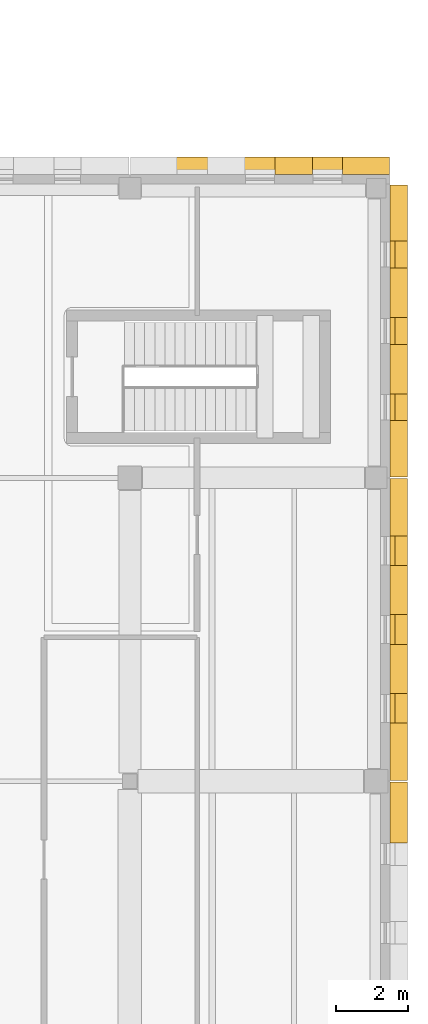
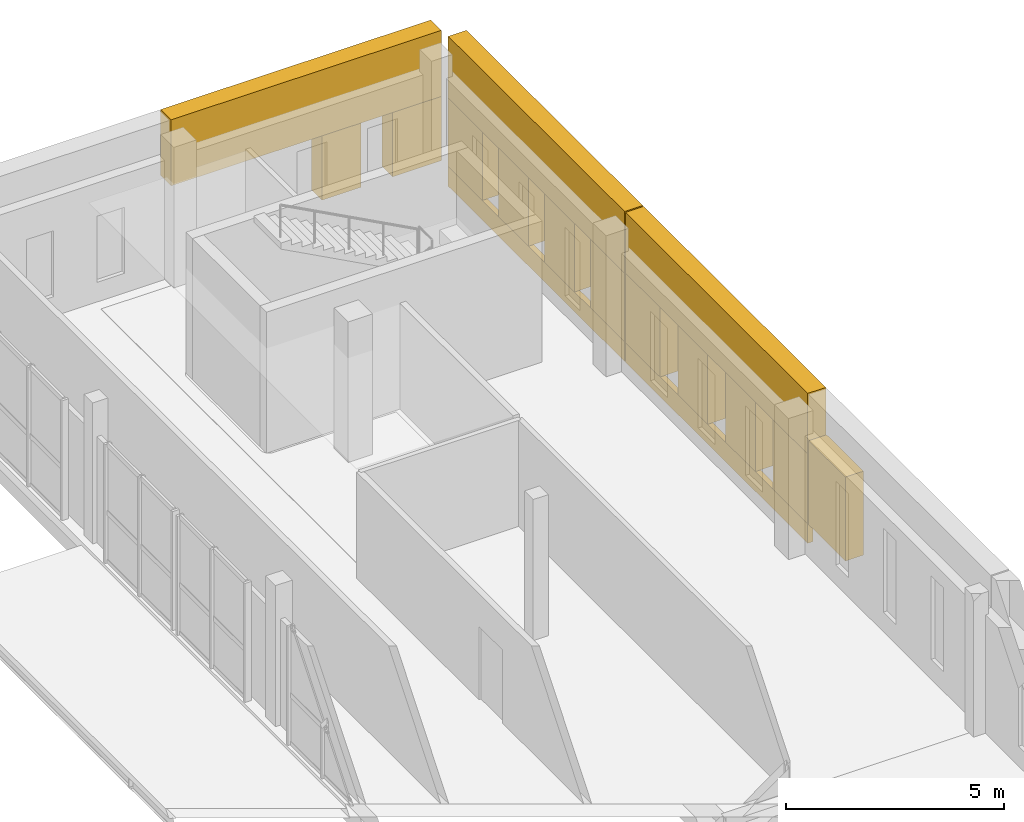
# One storey, part 76 of 76: 16 coverings.
"""IFC4 building model written with IfcOpenShell, lengths in metres."""

from ifc_helpers import new_model, si_unit, direction, frame, origin, place, context, subcontext, project, spatial, polyline, outline, extrude, material, layer, layer_set, type_object, element, save


model = new_model("IFC4")

# Units and contexts
model_context = context("Model", 3, precision=1e-05, world=origin(), true_north=direction((0.0, 1.0)))
body_context = subcontext(model_context, "Body", "Model", "MODEL_VIEW")
ifc_project = project(units=[si_unit("LENGTHUNIT", "METRE"), si_unit("AREAUNIT", "SQUARE_METRE"), si_unit("VOLUMEUNIT", "CUBIC_METRE"), si_unit("PLANEANGLEUNIT", "RADIAN"), si_unit("MASSUNIT", "GRAM", prefix="KILO")], contexts=[model_context])

# Site, building, storey
site_placement = place(None, origin())
site = spatial("IfcSite", under=ifc_project, at=site_placement, CompositionType="ELEMENT")
building_placement = place(site_placement, origin())
building = spatial("IfcBuilding", under=site, at=building_placement, Name="Vardoun Plaza Health Centre", CompositionType="ELEMENT")
storey_placement = place(building_placement, frame((0.0, 0.0, 4.5)))
storey = spatial("IfcBuildingStorey", under=building, at=storey_placement, Name="L01", CompositionType="ELEMENT", Elevation=4.5)

# Coverings
ifc_material = material(Name="Pale Limestone Concrete C35/45", Category="masonry")
ifc_layer = layer(ifc_material, 0.080078125)
ifc_layer_set = layer_set([ifc_layer], Name="Pale Limestone Concrete C35/45")
covering_type = type_object("IfcCoveringType", Name="CL-EXT1", PredefinedType="CLADDING", material=ifc_layer_set)
covering_1_placement = place(storey_placement, frame((0.0, 0.0, 2.35009765625)))
element("IfcCovering", 1, at=covering_1_placement, inside=storey, type_object=covering_type, Name="V6 L01 Sculpted Concrete Eyebrow Hood 1293", PredefinedType="CLADDING", context=body_context, shape_type="SweptSolid", body=[
    extrude(outline(polyline([(158.1201171875, 86.699951171875), (165.280029296875, 86.699951171875), (165.280029296875, 87.179931640625), (158.1201171875, 87.179931640625), (158.1201171875, 86.699951171875)])), origin(), (0.0, 0.0, 1.0), 1.849853515625),
])
covering_2_placement = place(storey_placement, frame((0.0, 0.0, 0.550048828125)))
element("IfcCovering", 2, at=covering_2_placement, inside=storey, type_object=covering_type, Name="V6 L01 Deep-Punched Slot Concrete Reveal Pier 1296", PredefinedType="CLADDING", context=body_context, shape_type="SweptSolid", body=[
    extrude(outline(polyline([(162.1201171875, 86.699951171875), (163.152099609375, 86.699951171875), (163.152099609375, 87.179931640625), (162.1201171875, 87.179931640625), (162.1201171875, 86.699951171875)])), origin(), (0.0, 0.0, 1.0), 1.800048828125),
])
covering_3_placement = place(storey_placement, frame((0.0, 0.0, 0.550048828125)))
element("IfcCovering", 3, at=covering_3_placement, inside=storey, type_object=covering_type, Name="V6 L01 Deep-Punched Slot Concrete Reveal Pier 1297", PredefinedType="CLADDING", context=body_context, shape_type="SweptSolid", body=[
    extrude(outline(polyline([(163.991943359375, 86.699951171875), (165.280029296875, 86.699951171875), (165.280029296875, 87.179931640625), (163.991943359375, 87.179931640625), (163.991943359375, 86.699951171875)])), origin(), (0.0, 0.0, 1.0), 1.800048828125),
])
covering_4_placement = place(storey_placement, origin())
element("IfcCovering", 4, at=covering_4_placement, inside=storey, type_object=covering_type, Name="V6 L01 Pale Concrete Sill Band 1298", PredefinedType="CLADDING", context=body_context, shape_type="SweptSolid", body=[
    extrude(outline(polyline([(165.300048828125, 86.4150390625), (165.300048828125, 78.320068359375), (165.43994140625, 78.320068359375), (165.43994140625, 86.4150390625), (165.300048828125, 86.4150390625)])), origin(), (0.0, 0.0, 1.0), 0.550048828125),
])
covering_5_placement = place(storey_placement, frame((0.0, 0.0, 2.469970703125)))
element("IfcCovering", 5, at=covering_5_placement, inside=storey, type_object=covering_type, Name="V6 L01 Sculpted Concrete Eyebrow Hood 1299", PredefinedType="CLADDING", context=body_context, shape_type="SweptSolid", body=[
    extrude(outline(polyline([(165.300048828125, 86.4150390625), (165.300048828125, 78.320068359375), (165.780029296875, 78.320068359375), (165.780029296875, 86.4150390625), (165.300048828125, 86.4150390625)])), origin(), (0.0, 0.0, 1.0), 1.72998046875),
])
covering_6_placement = place(storey_placement, frame((0.0, 0.0, 0.550048828125)))
element("IfcCovering", 6, at=covering_6_placement, inside=storey, type_object=covering_type, Name="V6 L01 Deep-Punched Slot Concrete Reveal Pier 1300", PredefinedType="CLADDING", context=body_context, shape_type="SweptSolid", body=[
    extrude(outline(polyline([(165.300048828125, 86.4150390625), (165.300048828125, 84.8525390625), (165.780029296875, 84.8525390625), (165.780029296875, 86.4150390625), (165.300048828125, 86.4150390625)])), origin(), (0.0, 0.0, 1.0), 1.919921875),
])
covering_7_placement = place(storey_placement, frame((0.0, 0.0, 0.550048828125)))
element("IfcCovering", 7, at=covering_7_placement, inside=storey, type_object=covering_type, Name="V6 L01 Deep-Punched Slot Concrete Reveal Pier 1301", PredefinedType="CLADDING", context=body_context, shape_type="SweptSolid", body=[
    extrude(outline(polyline([(165.300048828125, 84.112548828125), (165.300048828125, 82.737548828125), (165.780029296875, 82.737548828125), (165.780029296875, 84.112548828125), (165.300048828125, 84.112548828125)])), origin(), (0.0, 0.0, 1.0), 1.919921875),
])
covering_8_placement = place(storey_placement, frame((0.0, 0.0, 0.550048828125)))
element("IfcCovering", 8, at=covering_8_placement, inside=storey, type_object=covering_type, Name="V6 L01 Deep-Punched Slot Concrete Reveal Pier 1302", PredefinedType="CLADDING", context=body_context, shape_type="SweptSolid", body=[
    extrude(outline(polyline([(165.300048828125, 81.99755859375), (165.300048828125, 80.622314453125), (165.780029296875, 80.622314453125), (165.780029296875, 81.99755859375), (165.300048828125, 81.99755859375)])), origin(), (0.0, 0.0, 1.0), 1.919921875),
])
covering_9_placement = place(storey_placement, frame((0.0, 0.0, 0.550048828125)))
element("IfcCovering", 9, at=covering_9_placement, inside=storey, type_object=covering_type, Name="V6 L01 Deep-Punched Slot Concrete Reveal Pier 1303", PredefinedType="CLADDING", context=body_context, shape_type="SweptSolid", body=[
    extrude(outline(polyline([(165.300048828125, 79.88232421875), (165.300048828125, 78.320068359375), (165.780029296875, 78.320068359375), (165.780029296875, 79.88232421875), (165.300048828125, 79.88232421875)])), origin(), (0.0, 0.0, 1.0), 1.919921875),
])
covering_10_placement = place(storey_placement, origin())
element("IfcCovering", 10, at=covering_10_placement, inside=storey, type_object=covering_type, Name="V6 L01 Pale Concrete Sill Band 1304", PredefinedType="CLADDING", context=body_context, shape_type="SweptSolid", body=[
    extrude(outline(polyline([(165.300048828125, 78.280029296875), (165.300048828125, 69.919921875), (165.43994140625, 69.919921875), (165.43994140625, 78.280029296875), (165.300048828125, 78.280029296875)])), origin(), (0.0, 0.0, 1.0), 0.550048828125),
])
covering_11_placement = place(storey_placement, frame((0.0, 0.0, 2.5)))
element("IfcCovering", 11, at=covering_11_placement, inside=storey, type_object=covering_type, Name="V6 L01 Sculpted Concrete Eyebrow Hood 1305", PredefinedType="CLADDING", context=body_context, shape_type="SweptSolid", body=[
    extrude(outline(polyline([(165.300048828125, 78.280029296875), (165.300048828125, 69.919921875), (165.780029296875, 69.919921875), (165.780029296875, 78.280029296875), (165.300048828125, 78.280029296875)])), origin(), (0.0, 0.0, 1.0), 1.699951171875),
])
covering_12_placement = place(storey_placement, frame((0.0, 0.0, 0.550048828125)))
element("IfcCovering", 12, at=covering_12_placement, inside=storey, type_object=covering_type, Name="V6 L01 Deep-Punched Slot Concrete Reveal Pier 1306", PredefinedType="CLADDING", context=body_context, shape_type="SweptSolid", body=[
    extrude(outline(polyline([(165.300048828125, 78.280029296875), (165.300048828125, 76.694091796875), (165.780029296875, 76.694091796875), (165.780029296875, 78.280029296875), (165.300048828125, 78.280029296875)])), origin(), (0.0, 0.0, 1.0), 1.949951171875),
])
covering_13_placement = place(storey_placement, frame((0.0, 0.0, 0.550048828125)))
element("IfcCovering", 13, at=covering_13_placement, inside=storey, type_object=covering_type, Name="V6 L01 Deep-Punched Slot Concrete Reveal Pier 1307", PredefinedType="CLADDING", context=body_context, shape_type="SweptSolid", body=[
    extrude(outline(polyline([(165.300048828125, 75.8740234375), (165.300048828125, 74.510009765625), (165.780029296875, 74.510009765625), (165.780029296875, 75.8740234375), (165.300048828125, 75.8740234375)])), origin(), (0.0, 0.0, 1.0), 1.949951171875),
])
covering_14_placement = place(storey_placement, frame((0.0, 0.0, 0.550048828125)))
element("IfcCovering", 14, at=covering_14_placement, inside=storey, type_object=covering_type, Name="V6 L01 Deep-Punched Slot Concrete Reveal Pier 1308", PredefinedType="CLADDING", context=body_context, shape_type="SweptSolid", body=[
    extrude(outline(polyline([(165.300048828125, 73.68994140625), (165.300048828125, 72.325927734375), (165.780029296875, 72.325927734375), (165.780029296875, 73.68994140625), (165.300048828125, 73.68994140625)])), origin(), (0.0, 0.0, 1.0), 1.949951171875),
])
covering_15_placement = place(storey_placement, frame((0.0, 0.0, 0.550048828125)))
element("IfcCovering", 15, at=covering_15_placement, inside=storey, type_object=covering_type, Name="V6 L01 Deep-Punched Slot Concrete Reveal Pier 1309", PredefinedType="CLADDING", context=body_context, shape_type="SweptSolid", body=[
    extrude(outline(polyline([(165.300048828125, 71.506103515625), (165.300048828125, 69.919921875), (165.780029296875, 69.919921875), (165.780029296875, 71.506103515625), (165.300048828125, 71.506103515625)])), origin(), (0.0, 0.0, 1.0), 1.949951171875),
])
covering_16_placement = place(storey_placement, frame((0.0, 0.0, 0.550048828125)))
element("IfcCovering", 16, at=covering_16_placement, inside=storey, type_object=covering_type, Name="V6 L01 Deep-Punched Slot Concrete Reveal Pier 1312", PredefinedType="CLADDING", context=body_context, shape_type="SweptSolid", body=[
    extrude(outline(polyline([(165.300048828125, 69.8798828125), (165.300048828125, 68.194091796875), (165.780029296875, 68.194091796875), (165.780029296875, 69.8798828125), (165.300048828125, 69.8798828125)])), origin(), (0.0, 0.0, 1.0), 2.349853515625),
])

save(model, "model.ifc")
